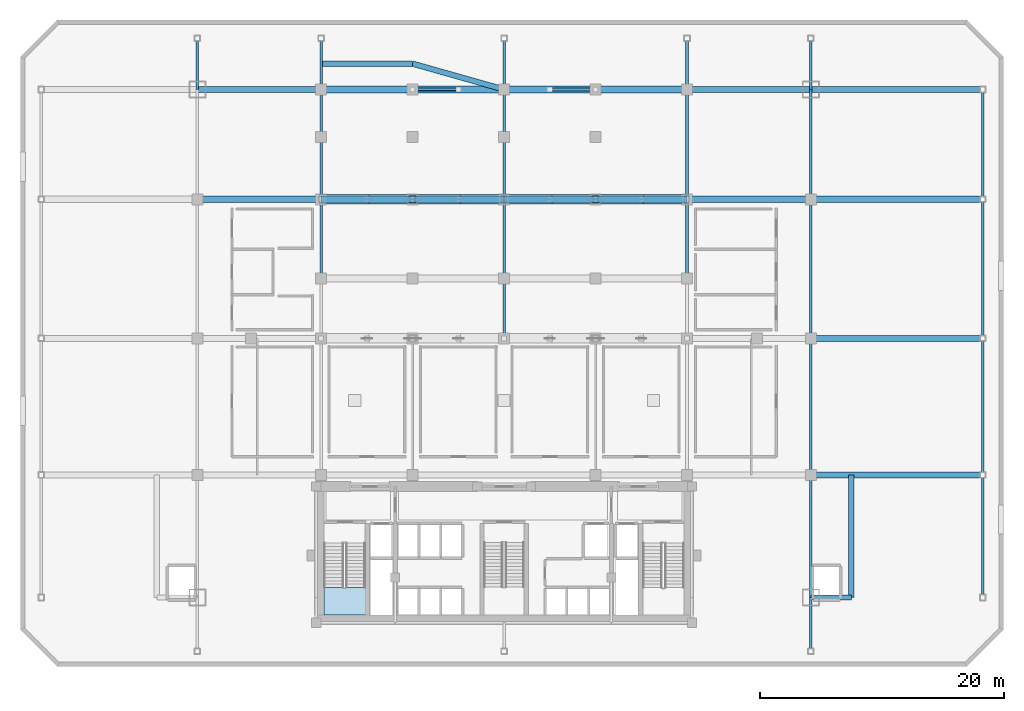
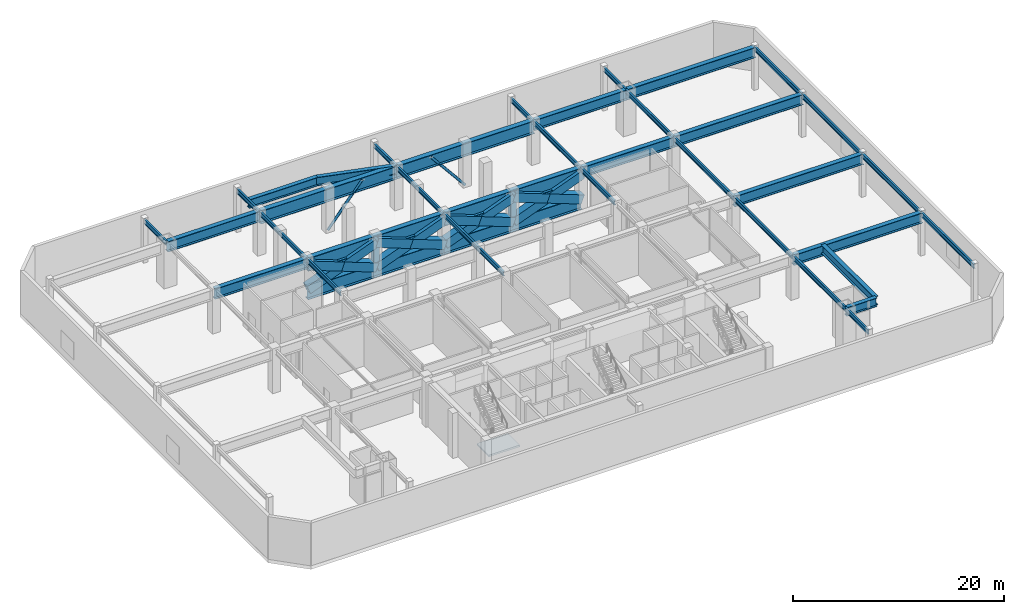
# One storey, part 4 of 14: 38 beams, 16 members, 1 slab, 1 element without a shape of its own.
"""IFC4 building model written with IfcOpenShell, lengths in metres."""

from ifc_helpers import new_model, si_unit, direction, frame, origin, origin_2d, place, context, subcontext, project, spatial, polyline, hollow_rectangle, hollow_circle, i_section, outline, extrude, material, layer, layer_set, material_profile, profile_set, type_object, element, aggregate, save


model = new_model("IFC4")

# Units and contexts
model_context = context("Model", 3, precision=1e-05, world=origin(), true_north=direction((0.0, 1.0)))
body_context = subcontext(model_context, "Body", "Model", "MODEL_VIEW")
ifc_project = project(units=[si_unit("LENGTHUNIT", "METRE"), si_unit("AREAUNIT", "SQUARE_METRE"), si_unit("VOLUMEUNIT", "CUBIC_METRE"), si_unit("PLANEANGLEUNIT", "RADIAN"), si_unit("MASSUNIT", "GRAM", prefix="KILO")], contexts=[model_context])

# Site, building, storey
site_placement = place(None, origin())
site = spatial("IfcSite", under=ifc_project, at=site_placement, CompositionType="ELEMENT")
building_placement = place(site_placement, origin())
building = spatial("IfcBuilding", under=site, at=building_placement, Name="Ventersveld Concourse Tower", CompositionType="ELEMENT")
storey_placement = place(building_placement, frame((0.0, 0.0, 24.60009765625)))
storey = spatial("IfcBuildingStorey", under=building, at=storey_placement, Name="L05", CompositionType="ELEMENT", Elevation=24.60009765625)

# Beams
ifc_material_1 = material(Name="Structural steel S355J2", Category="steel")
ifc_material_profile_1 = material_profile(ifc_material_1, i_section(OverallWidth=0.209228515625, OverallDepth=0.533203125, WebThickness=0.010009765625, FlangeThickness=0.015625, FilletRadius=0.0126953125, at=origin_2d()), Name="UB 533x210x92")
ifc_profile_set_1 = profile_set([ifc_material_profile_1], Name="Structural steel S355J2")
beam_type_1 = type_object("IfcBeamType", Name="GRD-UB533", PredefinedType="T_BEAM", material=ifc_profile_set_1)
beam_1_placement = place(storey_placement, frame((3.60009765625, 44.0, 4.683349609375), z_axis=(0.0, 1.0, 0.0), x_axis=(-1.0, 0.0, 0.0)))
element("IfcBeam", 1, at=beam_1_placement, inside=storey, type_object=beam_type_1, Name="L05 Podium N-S Girder X=3.60m", PredefinedType="T_BEAM", context=body_context, shape_type="SweptSolid", body=[
    extrude(i_section(OverallWidth=0.209228515625, OverallDepth=0.533203125, WebThickness=0.010009765625, FlangeThickness=0.015625, FilletRadius=0.0126953125, at=origin_2d()), origin(), (0.0, 0.0, 1.0), 4.199951171875),
])
beam_2_placement = place(storey_placement, frame((13.75, 28.5, 4.683349609375), z_axis=(0.0, 1.0, 0.0), x_axis=(-1.0, 0.0, 0.0)))
element("IfcBeam", 2, at=beam_2_placement, inside=storey, type_object=beam_type_1, Name="L05 Podium N-S Girder X=13.75m", PredefinedType="T_BEAM", context=body_context, shape_type="SweptSolid", body=[
    extrude(i_section(OverallWidth=0.209228515625, OverallDepth=0.533203125, WebThickness=0.010009765625, FlangeThickness=0.015625, FilletRadius=0.0126953125, at=origin_2d()), origin(), (0.0, 0.0, 1.0), 6.5),
])
beam_3_placement = place(storey_placement, frame((13.75, 35.0, 4.683349609375), z_axis=(0.0, 1.0, 0.0), x_axis=(-1.0, 0.0, 0.0)))
element("IfcBeam", 3, at=beam_3_placement, inside=storey, type_object=beam_type_1, Name="L05 Podium N-S Girder X=13.75m", PredefinedType="T_BEAM", context=body_context, shape_type="SweptSolid", body=[
    extrude(i_section(OverallWidth=0.209228515625, OverallDepth=0.533203125, WebThickness=0.010009765625, FlangeThickness=0.015625, FilletRadius=0.0126953125, at=origin_2d()), origin(), (0.0, 0.0, 1.0), 9.0),
])
beam_4_placement = place(storey_placement, frame((13.75, 44.0, 4.683349609375), z_axis=(0.0, 1.0, 0.0), x_axis=(-1.0, 0.0, 0.0)))
element("IfcBeam", 4, at=beam_4_placement, inside=storey, type_object=beam_type_1, Name="L05 Podium N-S Girder X=13.75m", PredefinedType="T_BEAM", context=body_context, shape_type="SweptSolid", body=[
    extrude(i_section(OverallWidth=0.209228515625, OverallDepth=0.533203125, WebThickness=0.010009765625, FlangeThickness=0.015625, FilletRadius=0.0126953125, at=origin_2d()), origin(), (0.0, 0.0, 1.0), 4.199951171875),
])
beam_5_placement = place(storey_placement, frame((28.75, 23.60009765625, 4.683349609375), z_axis=(0.0, 1.0, 0.0), x_axis=(-1.0, 0.0, 0.0)))
element("IfcBeam", 5, at=beam_5_placement, inside=storey, type_object=beam_type_1, Name="L05 Podium N-S Girder X=28.75m", PredefinedType="T_BEAM", context=body_context, shape_type="SweptSolid", body=[
    extrude(i_section(OverallWidth=0.209228515625, OverallDepth=0.533203125, WebThickness=0.010009765625, FlangeThickness=0.015625, FilletRadius=0.0126953125, at=origin_2d()), origin(), (0.0, 0.0, 1.0), 11.39990234375),
])
beam_6_placement = place(storey_placement, frame((28.75, 35.0, 4.683349609375), z_axis=(0.0, 1.0, 0.0), x_axis=(-1.0, 0.0, 0.0)))
element("IfcBeam", 6, at=beam_6_placement, inside=storey, type_object=beam_type_1, Name="L05 Podium N-S Girder X=28.75m", PredefinedType="T_BEAM", context=body_context, shape_type="SweptSolid", body=[
    extrude(i_section(OverallWidth=0.209228515625, OverallDepth=0.533203125, WebThickness=0.010009765625, FlangeThickness=0.015625, FilletRadius=0.0126953125, at=origin_2d()), origin(), (0.0, 0.0, 1.0), 9.0),
])
beam_7_placement = place(storey_placement, frame((28.75, 44.0, 4.683349609375), z_axis=(0.0, 1.0, 0.0), x_axis=(-1.0, 0.0, 0.0)))
element("IfcBeam", 7, at=beam_7_placement, inside=storey, type_object=beam_type_1, Name="L05 Podium N-S Girder X=28.75m", PredefinedType="T_BEAM", context=body_context, shape_type="SweptSolid", body=[
    extrude(i_section(OverallWidth=0.209228515625, OverallDepth=0.533203125, WebThickness=0.010009765625, FlangeThickness=0.015625, FilletRadius=0.0126953125, at=origin_2d()), origin(), (0.0, 0.0, 1.0), 4.199951171875),
])
beam_8_placement = place(storey_placement, frame((43.75, 28.5, 4.683349609375), z_axis=(0.0, 1.0, 0.0), x_axis=(-1.0, 0.0, 0.0)))
element("IfcBeam", 8, at=beam_8_placement, inside=storey, type_object=beam_type_1, Name="L05 Podium N-S Girder X=43.75m", PredefinedType="T_BEAM", context=body_context, shape_type="SweptSolid", body=[
    extrude(i_section(OverallWidth=0.209228515625, OverallDepth=0.533203125, WebThickness=0.010009765625, FlangeThickness=0.015625, FilletRadius=0.0126953125, at=origin_2d()), origin(), (0.0, 0.0, 1.0), 6.5),
])
beam_9_placement = place(storey_placement, frame((43.75, 35.0, 4.683349609375), z_axis=(0.0, 1.0, 0.0), x_axis=(-1.0, 0.0, 0.0)))
element("IfcBeam", 9, at=beam_9_placement, inside=storey, type_object=beam_type_1, Name="L05 Podium N-S Girder X=43.75m", PredefinedType="T_BEAM", context=body_context, shape_type="SweptSolid", body=[
    extrude(i_section(OverallWidth=0.209228515625, OverallDepth=0.533203125, WebThickness=0.010009765625, FlangeThickness=0.015625, FilletRadius=0.0126953125, at=origin_2d()), origin(), (0.0, 0.0, 1.0), 9.0),
])
beam_10_placement = place(storey_placement, frame((43.75, 44.0, 4.683349609375), z_axis=(0.0, 1.0, 0.0), x_axis=(-1.0, 0.0, 0.0)))
element("IfcBeam", 10, at=beam_10_placement, inside=storey, type_object=beam_type_1, Name="L05 Podium N-S Girder X=43.75m", PredefinedType="T_BEAM", context=body_context, shape_type="SweptSolid", body=[
    extrude(i_section(OverallWidth=0.209228515625, OverallDepth=0.533203125, WebThickness=0.010009765625, FlangeThickness=0.015625, FilletRadius=0.0126953125, at=origin_2d()), origin(), (0.0, 0.0, 1.0), 4.199951171875),
])
beam_11_placement = place(storey_placement, frame((53.89990234375, -2.050048828125, 4.683349609375), z_axis=(0.0, 1.0, 0.0), x_axis=(-1.0, 0.0, 0.0)))
element("IfcBeam", 11, at=beam_11_placement, inside=storey, type_object=beam_type_1, Name="L05 Podium N-S Girder X=53.90m", PredefinedType="T_BEAM", context=body_context, shape_type="SweptSolid", body=[
    extrude(i_section(OverallWidth=0.209228515625, OverallDepth=0.533203125, WebThickness=0.010009765625, FlangeThickness=0.015625, FilletRadius=0.0126953125, at=origin_2d()), origin(), (0.0, 0.0, 1.0), 4.400146484375),
])
beam_12_placement = place(storey_placement, frame((53.89990234375, 2.35009765625, 4.683349609375), z_axis=(0.0, 1.0, 0.0), x_axis=(-1.0, 0.0, 0.0)))
element("IfcBeam", 12, at=beam_12_placement, inside=storey, type_object=beam_type_1, Name="L05 Podium N-S Girder X=53.90m", PredefinedType="T_BEAM", context=body_context, shape_type="SweptSolid", body=[
    extrude(i_section(OverallWidth=0.209228515625, OverallDepth=0.533203125, WebThickness=0.010009765625, FlangeThickness=0.015625, FilletRadius=0.0126953125, at=origin_2d()), origin(), (0.0, 0.0, 1.0), 10.0498046875),
])
beam_13_placement = place(storey_placement, frame((53.89990234375, 12.39990234375, 4.683349609375), z_axis=(0.0, 1.0, 0.0), x_axis=(-1.0, 0.0, 0.0)))
element("IfcBeam", 13, at=beam_13_placement, inside=storey, type_object=beam_type_1, Name="L05 Podium N-S Girder X=53.90m", PredefinedType="T_BEAM", context=body_context, shape_type="SweptSolid", body=[
    extrude(i_section(OverallWidth=0.209228515625, OverallDepth=0.533203125, WebThickness=0.010009765625, FlangeThickness=0.015625, FilletRadius=0.0126953125, at=origin_2d()), origin(), (0.0, 0.0, 1.0), 11.2001953125),
])
beam_14_placement = place(storey_placement, frame((53.89990234375, 23.60009765625, 4.683349609375), z_axis=(0.0, 1.0, 0.0), x_axis=(-1.0, 0.0, 0.0)))
element("IfcBeam", 14, at=beam_14_placement, inside=storey, type_object=beam_type_1, Name="L05 Podium N-S Girder X=53.90m", PredefinedType="T_BEAM", context=body_context, shape_type="SweptSolid", body=[
    extrude(i_section(OverallWidth=0.209228515625, OverallDepth=0.533203125, WebThickness=0.010009765625, FlangeThickness=0.015625, FilletRadius=0.0126953125, at=origin_2d()), origin(), (0.0, 0.0, 1.0), 11.39990234375),
])
beam_15_placement = place(storey_placement, frame((53.89990234375, 35.0, 4.683349609375), z_axis=(0.0, 1.0, 0.0), x_axis=(-1.0, 0.0, 0.0)))
element("IfcBeam", 15, at=beam_15_placement, inside=storey, type_object=beam_type_1, Name="L05 Podium N-S Girder X=53.90m", PredefinedType="T_BEAM", context=body_context, shape_type="SweptSolid", body=[
    extrude(i_section(OverallWidth=0.209228515625, OverallDepth=0.533203125, WebThickness=0.010009765625, FlangeThickness=0.015625, FilletRadius=0.0126953125, at=origin_2d()), origin(), (0.0, 0.0, 1.0), 9.0),
])
beam_16_placement = place(storey_placement, frame((53.89990234375, 44.0, 4.683349609375), z_axis=(0.0, 1.0, 0.0), x_axis=(-1.0, 0.0, 0.0)))
element("IfcBeam", 16, at=beam_16_placement, inside=storey, type_object=beam_type_1, Name="L05 Podium N-S Girder X=53.90m", PredefinedType="T_BEAM", context=body_context, shape_type="SweptSolid", body=[
    extrude(i_section(OverallWidth=0.209228515625, OverallDepth=0.533203125, WebThickness=0.010009765625, FlangeThickness=0.015625, FilletRadius=0.0126953125, at=origin_2d()), origin(), (0.0, 0.0, 1.0), 4.199951171875),
])
beam_17_placement = place(storey_placement, frame((68.0, 2.35009765625, 4.683349609375), z_axis=(0.0, 1.0, 0.0), x_axis=(-1.0, 0.0, 0.0)))
element("IfcBeam", 17, at=beam_17_placement, inside=storey, type_object=beam_type_1, Name="L05 Podium N-S Girder X=68.00m", PredefinedType="T_BEAM", context=body_context, shape_type="SweptSolid", body=[
    extrude(i_section(OverallWidth=0.209228515625, OverallDepth=0.533203125, WebThickness=0.010009765625, FlangeThickness=0.015625, FilletRadius=0.0126953125, at=origin_2d()), origin(), (0.0, 0.0, 1.0), 10.0498046875),
])
beam_18_placement = place(storey_placement, frame((68.0, 12.39990234375, 4.683349609375), z_axis=(0.0, 1.0, 0.0), x_axis=(-1.0, 0.0, 0.0)))
element("IfcBeam", 18, at=beam_18_placement, inside=storey, type_object=beam_type_1, Name="L05 Podium N-S Girder X=68.00m", PredefinedType="T_BEAM", context=body_context, shape_type="SweptSolid", body=[
    extrude(i_section(OverallWidth=0.209228515625, OverallDepth=0.533203125, WebThickness=0.010009765625, FlangeThickness=0.015625, FilletRadius=0.0126953125, at=origin_2d()), origin(), (0.0, 0.0, 1.0), 11.2001953125),
])
beam_19_placement = place(storey_placement, frame((68.0, 23.60009765625, 4.683349609375), z_axis=(0.0, 1.0, 0.0), x_axis=(-1.0, 0.0, 0.0)))
element("IfcBeam", 19, at=beam_19_placement, inside=storey, type_object=beam_type_1, Name="L05 Podium N-S Girder X=68.00m", PredefinedType="T_BEAM", context=body_context, shape_type="SweptSolid", body=[
    extrude(i_section(OverallWidth=0.209228515625, OverallDepth=0.533203125, WebThickness=0.010009765625, FlangeThickness=0.015625, FilletRadius=0.0126953125, at=origin_2d()), origin(), (0.0, 0.0, 1.0), 11.39990234375),
])
beam_20_placement = place(storey_placement, frame((68.0, 35.0, 4.683349609375), z_axis=(0.0, 1.0, 0.0), x_axis=(-1.0, 0.0, 0.0)))
element("IfcBeam", 20, at=beam_20_placement, inside=storey, type_object=beam_type_1, Name="L05 Podium N-S Girder X=68.00m", PredefinedType="T_BEAM", context=body_context, shape_type="SweptSolid", body=[
    extrude(i_section(OverallWidth=0.209228515625, OverallDepth=0.533203125, WebThickness=0.010009765625, FlangeThickness=0.015625, FilletRadius=0.0126953125, at=origin_2d()), origin(), (0.0, 0.0, 1.0), 9.0),
])

# Members
ifc_material_2 = material(Name="Structural steel S355ML", Category="steel")
ifc_material_profile_2 = material_profile(ifc_material_2, hollow_rectangle(XDim=0.60009765625, YDim=0.60009765625, WallThickness=0.0400390625, at=origin_2d()), Name="BOX 600x600x40")
ifc_profile_set_2 = profile_set([ifc_material_profile_2], Name="Structural steel S355ML")
member_type_1 = type_object("IfcMemberType", Name="OUT-CH-600", PredefinedType="CHORD", material=ifc_profile_set_2)
for number, where, z_axis, x_axis, name in (
    (21, (21.25, 35.0, 1.349853515625), (0.0, 0.0, 1.0), (1.0, 0.0, 0.0), "L05 Transfer Truss Vertical Post X=21.25m"),
    (22, (36.25, 35.0, 1.349853515625), (0.0, 0.0, 1.0), (1.0, 0.0, 0.0), "L05 Transfer Truss Vertical Post X=36.25m"),
):
    element("IfcMember", number, at=place(storey_placement, frame(where, z_axis=z_axis, x_axis=x_axis)), inside=storey, type_object=member_type_1, Name=name, PredefinedType="CHORD", context=body_context, shape_type="SweptSolid", body=[
        extrude(hollow_rectangle(XDim=0.60009765625, YDim=0.60009765625, WallThickness=0.0400390625, at=origin_2d()), origin(), (0.0, 0.0, 1.0), 2.85009765625),
    ])
ifc_material_profile_3 = material_profile(ifc_material_2, hollow_circle(Radius=0.136474609375, WallThickness=0.012451171875, at=origin_2d()), Name="CHS 273x12.5")
ifc_profile_set_3 = profile_set([ifc_material_profile_3], Name="Structural steel S355ML")
member_type_2 = type_object("IfcMemberType", Name="STR-SG-273", PredefinedType="STRUT", material=ifc_profile_set_3)
for number, where, z_axis, x_axis, name in (
    (23, (21.25, 44.0, 0.0), (0.636020702907, 0.0, 0.771671993449), (0.0, 1.0, 0.0), "L05 Podium Perimeter Support Strut W"),
    (24, (36.25, 44.0, 0.0), (-0.636020702907, 0.0, 0.771671993449), (0.0, -1.0, 0.0), "L05 Podium Perimeter Support Strut E"),
):
    element("IfcMember", number, at=place(storey_placement, frame(where, z_axis=z_axis, x_axis=x_axis)), inside=storey, type_object=member_type_2, Name=name, PredefinedType="STRUT", context=body_context, shape_type="SweptSolid", body=[
        extrude(hollow_circle(Radius=0.136474609375, WallThickness=0.012451171875, at=origin_2d()), origin(), (0.0, 0.0, 1.0), 5.89599609375),
    ])

# Beams
ifc_material_3 = material(Name="Structural steel S460ML", Category="steel")
ifc_material_profile_4 = material_profile(ifc_material_3, i_section(OverallWidth=0.449951171875, OverallDepth=1.0, WebThickness=0.02392578125, FlangeThickness=0.0400390625, at=origin_2d()), Name="PG 1000x450x40")
ifc_profile_set_4 = profile_set([ifc_material_profile_4], Name="Structural steel S460ML")
beam_type_2 = type_object("IfcBeamType", Name="TG-PG1000", PredefinedType="USERDEFINED", material=ifc_profile_set_4)
beam_21_placement = place(storey_placement, frame((13.75, 46.1201171875, 4.449951171875), z_axis=(1.0, 0.0, 0.0), x_axis=(0.0, 1.0, 0.0)))
element("IfcBeam", 25, at=beam_21_placement, inside=storey, type_object=beam_type_2, Name="L05 North Mega-Brace Base Girder", ObjectType="TRANSFER_GIRDER", PredefinedType="USERDEFINED", context=body_context, shape_type="SweptSolid", body=[
    extrude(i_section(OverallWidth=0.449951171875, OverallDepth=1.0, WebThickness=0.02392578125, FlangeThickness=0.0400390625, at=origin_2d()), origin(), (0.0, 0.0, 1.0), 7.5),
])
beam_22_placement = place(storey_placement, frame((28.75, 44.0, 4.449951171875), z_axis=(-0.962290866596, 0.272022587419, 0.0), x_axis=(-0.272022587419, -0.962290866596, 0.0)))
element("IfcBeam", 26, at=beam_22_placement, inside=storey, type_object=beam_type_2, Name="L05 North Mega-Brace Base Tie 2", ObjectType="TRANSFER_GIRDER", PredefinedType="USERDEFINED", context=body_context, shape_type="SweptSolid", body=[
    extrude(i_section(OverallWidth=0.449951171875, OverallDepth=1.0, WebThickness=0.02392578125, FlangeThickness=0.0400390625, at=origin_2d()), origin(), (0.0, 0.0, 1.0), 7.7939453125),
])
beam_23_placement = place(storey_placement, frame((53.89990234375, 2.35009765625, 4.449951171875), z_axis=(1.0, 0.0, 0.0), x_axis=(0.0, 1.0, 0.0)))
element("IfcBeam", 27, at=beam_23_placement, inside=storey, type_object=beam_type_2, Name="L05 East Mega-Brace Base Tie 1", ObjectType="TRANSFER_GIRDER", PredefinedType="USERDEFINED", context=body_context, shape_type="SweptSolid", body=[
    extrude(i_section(OverallWidth=0.449951171875, OverallDepth=1.0, WebThickness=0.02392578125, FlangeThickness=0.0400390625, at=origin_2d()), origin(), (0.0, 0.0, 1.0), 3.320068359375),
])
beam_24_placement = place(storey_placement, frame((57.219970703125, 2.35009765625, 4.449951171875), z_axis=(0.0, 1.0, 0.0), x_axis=(-1.0, 0.0, 0.0)))
element("IfcBeam", 28, at=beam_24_placement, inside=storey, type_object=beam_type_2, Name="L05 East Mega-Brace Base Girder", ObjectType="TRANSFER_GIRDER", PredefinedType="USERDEFINED", context=body_context, shape_type="SweptSolid", body=[
    extrude(i_section(OverallWidth=0.449951171875, OverallDepth=1.0, WebThickness=0.02392578125, FlangeThickness=0.0400390625, at=origin_2d()), origin(), (0.0, 0.0, 1.0), 10.0498046875),
])
ifc_material_profile_5 = material_profile(ifc_material_3, i_section(OverallWidth=0.5, OverallDepth=1.199951171875, WebThickness=0.028076171875, FlangeThickness=0.044921875, at=origin_2d()), Name="PG 1200x500x45")
ifc_profile_set_5 = profile_set([ifc_material_profile_5], Name="Structural steel S460ML")
beam_type_3 = type_object("IfcBeamType", Name="TG-PG1200", PredefinedType="USERDEFINED", material=ifc_profile_set_5)
for number, where, z_axis, x_axis, name in (
    (29, (53.89990234375, 12.39990234375, 4.349853515625), (1.0, 0.0, 0.0), (0.0, 1.0, 0.0), "L05 Podium Primary Girder Y=12.4m"),
    (30, (53.89990234375, 23.60009765625, 4.349853515625), (1.0, 0.0, 0.0), (0.0, 1.0, 0.0), "L05 Podium Primary Girder Y=23.6m"),
):
    element("IfcBeam", number, at=place(storey_placement, frame(where, z_axis=z_axis, x_axis=x_axis)), inside=storey, type_object=beam_type_3, Name=name, ObjectType="TRANSFER_GIRDER", PredefinedType="USERDEFINED", context=body_context, shape_type="SweptSolid", body=[
        extrude(i_section(OverallWidth=0.5, OverallDepth=1.199951171875, WebThickness=0.028076171875, FlangeThickness=0.044921875, at=origin_2d()), origin(), (0.0, 0.0, 1.0), 14.10009765625),
    ])
for number, where, z_axis, x_axis, name in (
    (31, (3.60009765625, 35.0, 4.349853515625), (1.0, 0.0, 0.0), (0.0, 1.0, 0.0), "L05 Podium Primary Girder Y=35.0m"),
    (32, (43.75, 35.0, 4.349853515625), (1.0, 0.0, 0.0), (0.0, 1.0, 0.0), "L05 Podium Primary Girder Y=35.0m"),
):
    element("IfcBeam", number, at=place(storey_placement, frame(where, z_axis=z_axis, x_axis=x_axis)), inside=storey, type_object=beam_type_3, Name=name, ObjectType="TRANSFER_GIRDER", PredefinedType="USERDEFINED", context=body_context, shape_type="SweptSolid", body=[
        extrude(i_section(OverallWidth=0.5, OverallDepth=1.199951171875, WebThickness=0.028076171875, FlangeThickness=0.044921875, at=origin_2d()), origin(), (0.0, 0.0, 1.0), 10.14990234375),
    ])
beam_25_placement = place(storey_placement, frame((53.89990234375, 35.0, 4.349853515625), z_axis=(1.0, 0.0, 0.0), x_axis=(0.0, 1.0, 0.0)))
element("IfcBeam", 33, at=beam_25_placement, inside=storey, type_object=beam_type_3, Name="L05 Podium Primary Girder Y=35.0m", ObjectType="TRANSFER_GIRDER", PredefinedType="USERDEFINED", context=body_context, shape_type="SweptSolid", body=[
    extrude(i_section(OverallWidth=0.5, OverallDepth=1.199951171875, WebThickness=0.028076171875, FlangeThickness=0.044921875, at=origin_2d()), origin(), (0.0, 0.0, 1.0), 14.10009765625),
])
for number, where, z_axis, x_axis, name in (
    (34, (3.60009765625, 44.0, 4.349853515625), (1.0, 0.0, 0.0), (0.0, 1.0, 0.0), "L05 Podium Primary Girder Y=44.0m"),
    (35, (43.75, 44.0, 4.349853515625), (1.0, 0.0, 0.0), (0.0, 1.0, 0.0), "L05 Podium Primary Girder Y=44.0m"),
):
    element("IfcBeam", number, at=place(storey_placement, frame(where, z_axis=z_axis, x_axis=x_axis)), inside=storey, type_object=beam_type_3, Name=name, ObjectType="TRANSFER_GIRDER", PredefinedType="USERDEFINED", context=body_context, shape_type="SweptSolid", body=[
        extrude(i_section(OverallWidth=0.5, OverallDepth=1.199951171875, WebThickness=0.028076171875, FlangeThickness=0.044921875, at=origin_2d()), origin(), (0.0, 0.0, 1.0), 10.14990234375),
    ])
beam_26_placement = place(storey_placement, frame((53.89990234375, 44.0, 4.349853515625), z_axis=(1.0, 0.0, 0.0), x_axis=(0.0, 1.0, 0.0)))
element("IfcBeam", 36, at=beam_26_placement, inside=storey, type_object=beam_type_3, Name="L05 Podium Primary Girder Y=44.0m", ObjectType="TRANSFER_GIRDER", PredefinedType="USERDEFINED", context=body_context, shape_type="SweptSolid", body=[
    extrude(i_section(OverallWidth=0.5, OverallDepth=1.199951171875, WebThickness=0.028076171875, FlangeThickness=0.044921875, at=origin_2d()), origin(), (0.0, 0.0, 1.0), 14.10009765625),
])
ifc_material_profile_6 = material_profile(ifc_material_3, i_section(OverallWidth=0.550048828125, OverallDepth=1.5, WebThickness=0.031982421875, FlangeThickness=0.044921875, at=origin_2d()), Name="PG 1500x550x45")
ifc_profile_set_6 = profile_set([ifc_material_profile_6], Name="Structural steel S460ML")
beam_type_4 = type_object("IfcBeamType", Name="TG-PG1500", PredefinedType="USERDEFINED", material=ifc_profile_set_6)
for number, where, z_axis, x_axis, name in (
    (37, (13.75, 35.0, 0.89990234375), (1.0, 0.0, 0.0), (0.0, 1.0, 0.0), "L05 Station Transfer Truss Bottom Chord Girder YE-1"),
    (38, (13.75, 35.0, 4.199951171875), (1.0, 0.0, 0.0), (0.0, 1.0, 0.0), "L05 Station Transfer Truss Top Chord Girder YE-1"),
    (39, (28.75, 35.0, 0.89990234375), (1.0, 0.0, 0.0), (0.0, 1.0, 0.0), "L05 Station Transfer Truss Bottom Chord Girder YE-2"),
    (40, (28.75, 35.0, 4.199951171875), (1.0, 0.0, 0.0), (0.0, 1.0, 0.0), "L05 Station Transfer Truss Top Chord Girder YE-2"),
    (41, (13.75, 44.0, 4.199951171875), (1.0, 0.0, 0.0), (0.0, 1.0, 0.0), "L05 North Perimeter Transfer Girder 1"),
    (42, (28.75, 44.0, 4.199951171875), (1.0, 0.0, 0.0), (0.0, 1.0, 0.0), "L05 North Perimeter Transfer Girder 2"),
):
    element("IfcBeam", number, at=place(storey_placement, frame(where, z_axis=z_axis, x_axis=x_axis)), inside=storey, type_object=beam_type_4, Name=name, ObjectType="TRANSFER_GIRDER", PredefinedType="USERDEFINED", context=body_context, shape_type="SweptSolid", body=[
        extrude(i_section(OverallWidth=0.550048828125, OverallDepth=1.5, WebThickness=0.031982421875, FlangeThickness=0.044921875, at=origin_2d()), origin(), (0.0, 0.0, 1.0), 15.0),
    ])

# Members
ifc_material_profile_7 = material_profile(ifc_material_3, hollow_rectangle(XDim=0.800048828125, YDim=1.0, WallThickness=0.06494140625, at=origin_2d()), Name="BOX 1000x800x65")
ifc_profile_set_7 = profile_set([ifc_material_profile_7], Name="Structural steel S460ML")
member_type_3 = type_object("IfcMemberType", Name="TR-WEB-800", PredefinedType="BRACE", material=ifc_profile_set_7)
member_1_placement = place(storey_placement, frame((13.75, 35.0, 1.349853515625), z_axis=(0.934779538924, 0.0, 0.3552283964), x_axis=(0.0, 1.0, 0.0)))
element("IfcMember", 43, at=member_1_placement, inside=storey, type_object=member_type_3, Name="L05 Station Transfer Truss Continuous Diagonal YE-P1A", PredefinedType="BRACE", context=body_context, shape_type="SweptSolid", body=[
    extrude(hollow_rectangle(XDim=0.800048828125, YDim=1.0, WallThickness=0.06494140625, at=origin_2d()), origin(), (0.0, 0.0, 1.0), 8.023193359375),
])
for number, where, z_axis, x_axis, name in (
    (44, (13.75, 35.0, 4.199951171875), (0.934779538924, 0.0, -0.3552283964), (0.0, 1.0, 0.0), "L05 Station Transfer Truss Split X-Diagonal YE-P1B1"),
    (45, (17.5, 35.0, 2.77490234375), (0.934779538924, 0.0, -0.3552283964), (0.0, 1.0, 0.0), "L05 Station Transfer Truss Split X-Diagonal YE-P1B2"),
):
    element("IfcMember", number, at=place(storey_placement, frame(where, z_axis=z_axis, x_axis=x_axis)), inside=storey, type_object=member_type_3, Name=name, PredefinedType="BRACE", context=body_context, shape_type="SweptSolid", body=[
        extrude(hollow_rectangle(XDim=0.800048828125, YDim=1.0, WallThickness=0.06494140625, at=origin_2d()), origin(), (0.0, 0.0, 1.0), 4.01171875),
    ])
member_2_placement = place(storey_placement, frame((21.25, 35.0, 1.349853515625), z_axis=(0.934779538924, 0.0, 0.3552283964), x_axis=(0.0, 1.0, 0.0)))
element("IfcMember", 46, at=member_2_placement, inside=storey, type_object=member_type_3, Name="L05 Station Transfer Truss Continuous Diagonal YE-P2A", PredefinedType="BRACE", context=body_context, shape_type="SweptSolid", body=[
    extrude(hollow_rectangle(XDim=0.800048828125, YDim=1.0, WallThickness=0.06494140625, at=origin_2d()), origin(), (0.0, 0.0, 1.0), 8.023193359375),
])
for number, where, z_axis, x_axis, name in (
    (47, (21.25, 35.0, 4.199951171875), (0.934779538924, 0.0, -0.3552283964), (0.0, 1.0, 0.0), "L05 Station Transfer Truss Split X-Diagonal YE-P2B1"),
    (48, (25.0, 35.0, 2.77490234375), (0.934779538924, 0.0, -0.3552283964), (0.0, 1.0, 0.0), "L05 Station Transfer Truss Split X-Diagonal YE-P2B2"),
):
    element("IfcMember", number, at=place(storey_placement, frame(where, z_axis=z_axis, x_axis=x_axis)), inside=storey, type_object=member_type_3, Name=name, PredefinedType="BRACE", context=body_context, shape_type="SweptSolid", body=[
        extrude(hollow_rectangle(XDim=0.800048828125, YDim=1.0, WallThickness=0.06494140625, at=origin_2d()), origin(), (0.0, 0.0, 1.0), 4.01171875),
    ])
member_3_placement = place(storey_placement, frame((28.75, 35.0, 1.349853515625), z_axis=(0.934779538924, 0.0, 0.3552283964), x_axis=(0.0, 1.0, 0.0)))
element("IfcMember", 49, at=member_3_placement, inside=storey, type_object=member_type_3, Name="L05 Station Transfer Truss Continuous Diagonal YE-P3A", PredefinedType="BRACE", context=body_context, shape_type="SweptSolid", body=[
    extrude(hollow_rectangle(XDim=0.800048828125, YDim=1.0, WallThickness=0.06494140625, at=origin_2d()), origin(), (0.0, 0.0, 1.0), 8.023193359375),
])
for number, where, z_axis, x_axis, name in (
    (50, (28.75, 35.0, 4.199951171875), (0.934779538924, 0.0, -0.3552283964), (0.0, 1.0, 0.0), "L05 Station Transfer Truss Split X-Diagonal YE-P3B1"),
    (51, (32.5, 35.0, 2.77490234375), (0.934779538924, 0.0, -0.3552283964), (0.0, 1.0, 0.0), "L05 Station Transfer Truss Split X-Diagonal YE-P3B2"),
):
    element("IfcMember", number, at=place(storey_placement, frame(where, z_axis=z_axis, x_axis=x_axis)), inside=storey, type_object=member_type_3, Name=name, PredefinedType="BRACE", context=body_context, shape_type="SweptSolid", body=[
        extrude(hollow_rectangle(XDim=0.800048828125, YDim=1.0, WallThickness=0.06494140625, at=origin_2d()), origin(), (0.0, 0.0, 1.0), 4.01171875),
    ])
member_4_placement = place(storey_placement, frame((36.25, 35.0, 1.349853515625), z_axis=(0.934779538924, 0.0, 0.3552283964), x_axis=(0.0, 1.0, 0.0)))
element("IfcMember", 52, at=member_4_placement, inside=storey, type_object=member_type_3, Name="L05 Station Transfer Truss Continuous Diagonal YE-P4A", PredefinedType="BRACE", context=body_context, shape_type="SweptSolid", body=[
    extrude(hollow_rectangle(XDim=0.800048828125, YDim=1.0, WallThickness=0.06494140625, at=origin_2d()), origin(), (0.0, 0.0, 1.0), 8.023193359375),
])
for number, where, z_axis, x_axis, name in (
    (53, (36.25, 35.0, 4.199951171875), (0.934779538924, 0.0, -0.3552283964), (0.0, 1.0, 0.0), "L05 Station Transfer Truss Split X-Diagonal YE-P4B1"),
    (54, (40.0, 35.0, 2.77490234375), (0.934779538924, 0.0, -0.3552283964), (0.0, 1.0, 0.0), "L05 Station Transfer Truss Split X-Diagonal YE-P4B2"),
):
    element("IfcMember", number, at=place(storey_placement, frame(where, z_axis=z_axis, x_axis=x_axis)), inside=storey, type_object=member_type_3, Name=name, PredefinedType="BRACE", context=body_context, shape_type="SweptSolid", body=[
        extrude(hollow_rectangle(XDim=0.800048828125, YDim=1.0, WallThickness=0.06494140625, at=origin_2d()), origin(), (0.0, 0.0, 1.0), 4.01171875),
    ])

# Stair, slab
ifc_material_4 = material(Name="Concrete C50/60", Category="concrete")
stair_type = type_object("IfcStairType", Name="ST-DOG-160", PredefinedType="HALF_TURN_STAIR", material=ifc_material_4)
stair_placement = place(storey_placement, origin())
stair = element("IfcStair", 55, at=stair_placement, inside=storey, type_object=stair_type, Name="L05 Protected Tower Escape Stair ST-01", PredefinedType="HALF_TURN_STAIR")
ifc_layer = layer(ifc_material_4, 0.199951171875)
ifc_layer_set = layer_set([ifc_layer], Name="Concrete C50/60")
slab_type = type_object("IfcSlabType", Name="SL-LND-200", PredefinedType="LANDING", material=ifc_layer_set)
slab_placement = place(storey_placement, frame((0.0, 0.0, 2.39990234375)))
slab = element("IfcSlab", 56, at=slab_placement, type_object=slab_type, Name="ST-01 landing 1", PredefinedType="LANDING", context=body_context, shape_type="SweptSolid", body=[
    extrude(outline(polyline([(13.97998046875, 3.159912109375), (13.97998046875, 0.89990234375), (17.3798828125, 0.89990234375), (17.3798828125, 3.159912109375), (13.97998046875, 3.159912109375)])), origin(), (0.0, 0.0, 1.0), 0.199951171875),
])
aggregate(stair, [slab])

save(model, "model.ifc")
